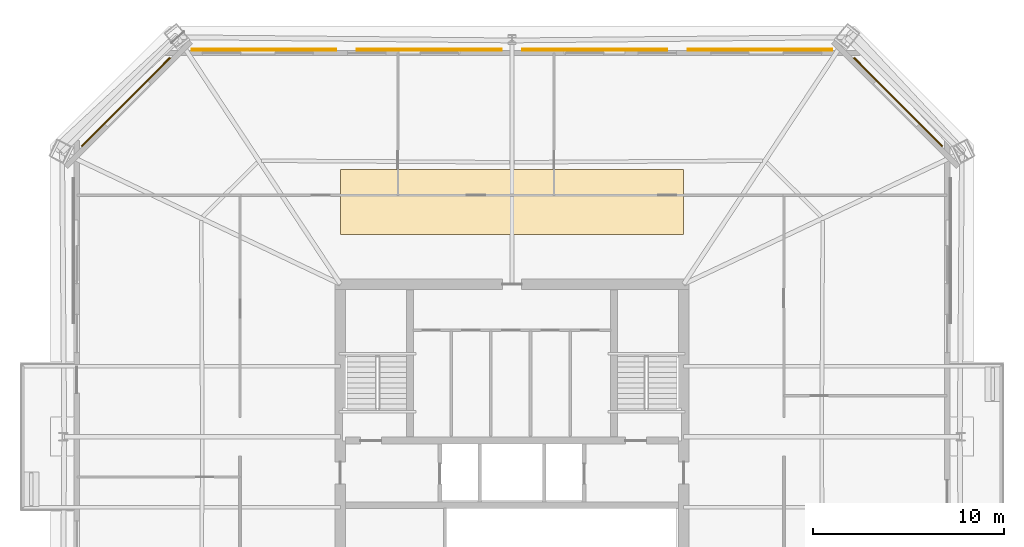
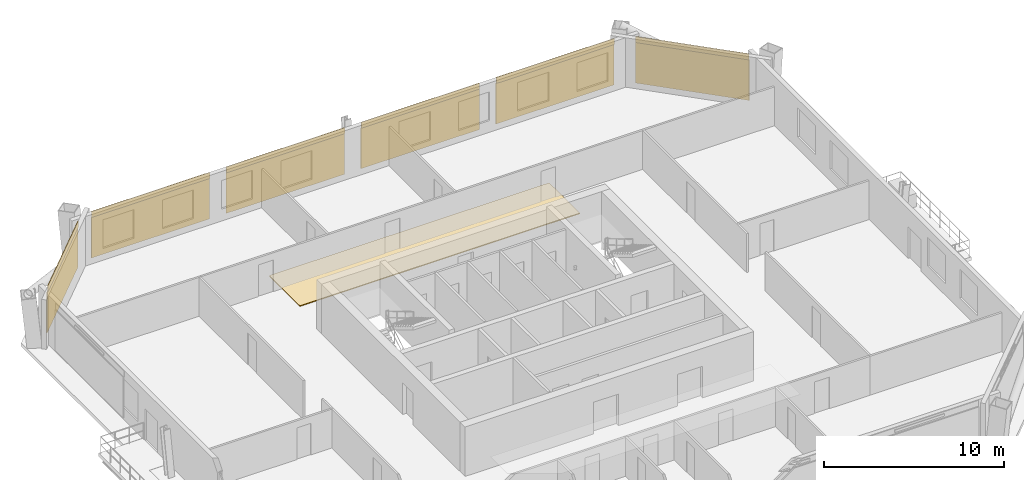
# One storey, part 8 of 8: 7 coverings, 6 shading devices.
"""IFC4 building model written with IfcOpenShell, lengths in metres."""

from ifc_helpers import new_model, si_unit, direction, frame, origin, origin_2d, place, context, subcontext, project, spatial, polyline, rectangle, outline, extrude, material, layer, layer_set, type_object, element, save


model = new_model("IFC4")

# Units and contexts
model_context = context("Model", 3, precision=1e-05, world=origin(), true_north=direction((0.0, 1.0)))
body_context = subcontext(model_context, "Body", "Model", "MODEL_VIEW")
ifc_project = project(units=[si_unit("LENGTHUNIT", "METRE"), si_unit("AREAUNIT", "SQUARE_METRE"), si_unit("VOLUMEUNIT", "CUBIC_METRE"), si_unit("PLANEANGLEUNIT", "RADIAN"), si_unit("MASSUNIT", "GRAM", prefix="KILO")], contexts=[model_context])

# Site, building, storey
site_placement = place(None, origin())
site = spatial("IfcSite", under=ifc_project, at=site_placement, CompositionType="ELEMENT")
building_placement = place(site_placement, origin())
building = spatial("IfcBuilding", under=site, at=building_placement, Name="Caelvoria Tower", CompositionType="ELEMENT")
storey_placement = place(building_placement, frame((0.0, 0.0, 145.60009765625)))
storey = spatial("IfcBuildingStorey", under=building, at=storey_placement, Name="L38", CompositionType="ELEMENT", Elevation=145.60009765625)

# Coverings
ifc_material_1 = material(Name="Perforated Architectural Bronze Cladding Screen", Category="bronze")
ifc_layer_1 = layer(ifc_material_1, 0.0400390625, Name="Perforated Architectural Bronze Cladding Screen")
ifc_layer_set_1 = layer_set([ifc_layer_1], Name="Perforated Bronze Louvre Cladding Band 40 - Perforated Architectural Bronze Cladding Screen")
covering_type_1 = type_object("IfcCoveringType", Name="Perforated Bronze Louvre Cladding Band 40", PredefinedType="CLADDING", material=ifc_layer_set_1)
covering_1_placement = place(storey_placement, frame((66.231689453125, 49.53173828125, 2.93994140625), z_axis=(0.0, 0.0, 1.0), x_axis=(-0.707106781187, 0.707106781187, 0.0)))
element("IfcCovering", 1, at=covering_1_placement, inside=storey, type_object=covering_type_1, Name="Perforated Bronze Screen Band L38-E3-00", PredefinedType="CLADDING", context=body_context, shape_type="SweptSolid", body=[
    extrude(rectangle(XDim=6.55419921875, YDim=0.0400390625, at=origin_2d()), origin(), (0.0, 0.0, 1.0), 0.39990234375),
])
for number, where, z_axis, x_axis, name in (
    (2, (59.0048828125, 52.27197265625, 2.93994140625), (0.0, 0.0, 1.0), (-1.0, 0.0, 0.0), "Perforated Bronze Screen Band L38-E4-00"),
    (3, (50.3349609375, 52.27197265625, 2.93994140625), (0.0, 0.0, 1.0), (-1.0, 0.0, 0.0), "Perforated Bronze Screen Band L38-E4-01"),
    (4, (41.6650390625, 52.27197265625, 2.93994140625), (0.0, 0.0, 1.0), (-1.0, 0.0, 0.0), "Perforated Bronze Screen Band L38-E4-02"),
    (5, (32.9951171875, 52.27197265625, 2.93994140625), (0.0, 0.0, 1.0), (-1.0, 0.0, 0.0), "Perforated Bronze Screen Band L38-E4-03"),
):
    element("IfcCovering", number, at=place(storey_placement, frame(where, z_axis=z_axis, x_axis=x_axis)), inside=storey, type_object=covering_type_1, Name=name, PredefinedType="CLADDING", context=body_context, shape_type="SweptSolid", body=[
        extrude(rectangle(XDim=7.60009765625, YDim=0.0400390625, at=origin_2d()), origin(), (0.0, 0.0, 1.0), 0.39990234375),
    ])
covering_2_placement = place(storey_placement, frame((25.768310546875, 49.53173828125, 2.93994140625), z_axis=(0.0, 0.0, 1.0), x_axis=(-0.707106781187, -0.707106781187, 0.0)))
element("IfcCovering", 6, at=covering_2_placement, inside=storey, type_object=covering_type_1, Name="Perforated Bronze Screen Band L38-E5-00", PredefinedType="CLADDING", context=body_context, shape_type="SweptSolid", body=[
    extrude(rectangle(XDim=6.55419921875, YDim=0.0400390625, at=origin_2d()), origin(), (0.0, 0.0, 1.0), 0.39990234375),
])

# Shading devices
ifc_material_2 = material(Name="Perforated Architectural Bronze Alloy Panel", Category="bronze")
ifc_layer_2 = layer(ifc_material_2, 0.044921875, Name="Perforated Architectural Bronze Alloy Panel")
ifc_layer_set_2 = layer_set([ifc_layer_2], Name="Perforated Bronze Solar Screen Panel SCREEN - Perforated Architectural Bronze Alloy Panel")
shading_device_type = type_object("IfcShadingDeviceType", Name="Perforated Bronze Solar Screen Panel SCREEN", PredefinedType="USERDEFINED", material=ifc_layer_set_2)
shading_device_1_placement = place(storey_placement, frame((66.26220703125, 49.56201171875, 0.159912109375), z_axis=(0.0, 0.0, 1.0), x_axis=(-0.707106781187, 0.707106781187, 0.0)))
element("IfcShadingDevice", 7, at=shading_device_1_placement, inside=storey, type_object=shading_device_type, Name="Perforated Bronze Solar Screen L38-E3-00", ObjectType="SCREEN", PredefinedType="USERDEFINED", context=body_context, shape_type="SweptSolid", body=[
    extrude(rectangle(XDim=6.55419921875, YDim=0.044921875, at=origin_2d()), origin(), (0.0, 0.0, 1.0), 2.75),
])
for number, where, z_axis, x_axis, name in (
    (8, (59.0048828125, 52.31494140625, 0.159912109375), (0.0, 0.0, 1.0), (-1.0, 0.0, 0.0), "Perforated Bronze Solar Screen L38-E4-00"),
    (9, (50.3349609375, 52.31494140625, 0.159912109375), (0.0, 0.0, 1.0), (-1.0, 0.0, 0.0), "Perforated Bronze Solar Screen L38-E4-01"),
    (10, (41.6650390625, 52.31494140625, 0.159912109375), (0.0, 0.0, 1.0), (-1.0, 0.0, 0.0), "Perforated Bronze Solar Screen L38-E4-02"),
    (11, (32.9951171875, 52.31494140625, 0.159912109375), (0.0, 0.0, 1.0), (-1.0, 0.0, 0.0), "Perforated Bronze Solar Screen L38-E4-03"),
):
    element("IfcShadingDevice", number, at=place(storey_placement, frame(where, z_axis=z_axis, x_axis=x_axis)), inside=storey, type_object=shading_device_type, Name=name, ObjectType="SCREEN", PredefinedType="USERDEFINED", context=body_context, shape_type="SweptSolid", body=[
        extrude(rectangle(XDim=7.60009765625, YDim=0.044921875, at=origin_2d()), origin(), (0.0, 0.0, 1.0), 2.75),
    ])
shading_device_2_placement = place(storey_placement, frame((25.73779296875, 49.56201171875, 0.159912109375), z_axis=(0.0, 0.0, 1.0), x_axis=(-0.707106781187, -0.707106781187, 0.0)))
element("IfcShadingDevice", 12, at=shading_device_2_placement, inside=storey, type_object=shading_device_type, Name="Perforated Bronze Solar Screen L38-E5-00", ObjectType="SCREEN", PredefinedType="USERDEFINED", context=body_context, shape_type="SweptSolid", body=[
    extrude(rectangle(XDim=6.55419921875, YDim=0.044921875, at=origin_2d()), origin(), (0.0, 0.0, 1.0), 2.75),
])

# Covering
ifc_material_3 = material(Name="Calcium-Sulphate Raised Floor Tile", Category="gypsum")
ifc_layer_3 = layer(ifc_material_3, 0.06005859375, Name="Calcium-Sulphate Raised Floor Tile")
ifc_layer_set_3 = layer_set([ifc_layer_3], Name="Raised Access Office Floor System 120 - Calcium-Sulphate Raised Floor Tile")
covering_type_2 = type_object("IfcCoveringType", Name="Raised Access Office Floor System 120", PredefinedType="FLOORING", material=ifc_layer_set_3)
covering_3_placement = place(storey_placement, origin())
element("IfcCovering", 13, at=covering_3_placement, inside=storey, type_object=covering_type_2, Name="Raised Access Flooring L38", PredefinedType="FLOORING", context=body_context, shape_type="SweptSolid", body=[
    extrude(outline(polyline([(37.0, 42.60009765625), (55.0, 42.60009765625), (55.0, 46.0), (37.0, 46.0), (37.0, 42.60009765625)])), origin(), (0.0, 0.0, 1.0), 0.059814453125),
])

save(model, "model.ifc")
